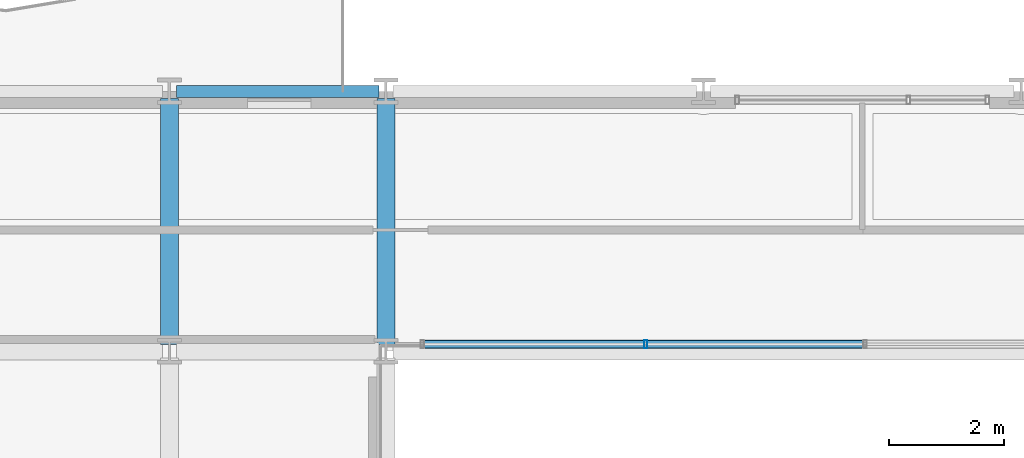
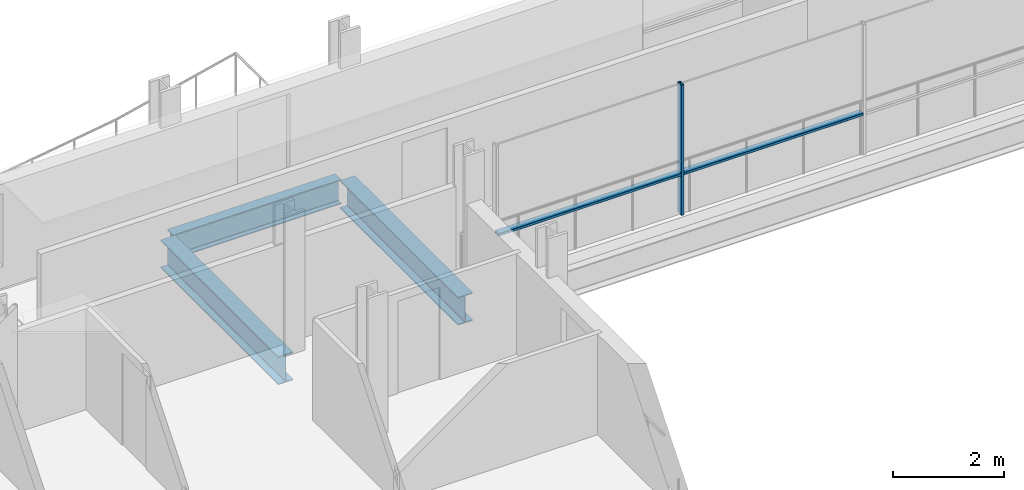
# One storey, part 9 of 38: 3 beams, 3 members, 1 element without a shape of its own.
"""IFC4 building model written with IfcOpenShell, lengths in metres."""

from ifc_helpers import new_model, si_unit, direction, frame, origin, origin_2d, place, context, subcontext, project, spatial, hollow_rectangle, i_section, extrude, material, layer, layer_set, material_profile, profile_set, type_object, element, aggregate, save


model = new_model("IFC4")

# Units and contexts
model_context = context("Model", 3, precision=1e-05, world=origin(), true_north=direction((0.0, 1.0)))
body_context = subcontext(model_context, "Body", "Model", "MODEL_VIEW")
ifc_project = project(units=[si_unit("LENGTHUNIT", "METRE"), si_unit("AREAUNIT", "SQUARE_METRE"), si_unit("VOLUMEUNIT", "CUBIC_METRE"), si_unit("PLANEANGLEUNIT", "RADIAN"), si_unit("MASSUNIT", "GRAM", prefix="KILO")], contexts=[model_context])

# Site, building, storey
site_placement = place(None, origin())
site = spatial("IfcSite", under=ifc_project, at=site_placement, CompositionType="ELEMENT")
building_placement = place(site_placement, origin())
building = spatial("IfcBuilding", under=site, at=building_placement, Name="Brevholm Reach", CompositionType="ELEMENT")
storey_placement = place(building_placement, frame((0.0, 0.0, 71.39990234375)))
storey = spatial("IfcBuildingStorey", under=building, at=storey_placement, Name="L20", CompositionType="ELEMENT", Elevation=71.39990234375)

# Beams
ifc_material_1 = material(Name="Structural Steel S355J2", Category="steel")
ifc_material_profile_1 = material_profile(ifc_material_1, i_section(OverallWidth=0.210693359375, OverallDepth=0.53955078125, WebThickness=0.01171875, FlangeThickness=0.018798828125, FilletRadius=0.0126953125, at=origin_2d()), Name="UKB 533x210x109")
ifc_profile_set_1 = profile_set([ifc_material_profile_1], Name="Structural Steel S355J2")
beam_type_1 = type_object("IfcBeamType", Name="BM-SP539", PredefinedType="SPANDREL", material=ifc_profile_set_1)
beam_placement = place(storey_placement, frame((18.1201171875, 31.0, -0.499755859375), z_axis=(1.0, 0.0, 0.0), x_axis=(0.0, 1.0, 0.0)))
element("IfcBeam", 1, at=beam_placement, inside=storey, type_object=beam_type_1, Name="L20 SP-01B Framing Beam", PredefinedType="SPANDREL", context=body_context, shape_type="SweptSolid", body=[
    extrude(i_section(OverallWidth=0.210693359375, OverallDepth=0.53955078125, WebThickness=0.01171875, FlangeThickness=0.018798828125, FilletRadius=0.0126953125, at=origin_2d()), origin(), (0.0, 0.0, 1.0), 3.509765625),
])
ifc_material_2 = material(Name="Structural Steel S355J2", Category="steel")
ifc_material_profile_2 = material_profile(ifc_material_2, i_section(OverallWidth=0.30712890625, OverallDepth=0.6201171875, WebThickness=0.01416015625, FlangeThickness=0.023681640625, FilletRadius=0.0166015625, at=origin_2d()), Name="UKB 610x305x179")
ifc_profile_set_2 = profile_set([ifc_material_profile_2], Name="Structural Steel S355J2")
beam_type_2 = type_object("IfcBeamType", Name="BM-UKB610H", PredefinedType="USERDEFINED", material=ifc_profile_set_2)
for number, where, z_axis, x_axis, name in (
    (2, (18.0, 26.6201171875, -0.5400390625), (0.0, 1.0, 0.0), (-1.0, 0.0, 0.0), "L20 G-06 Framing Beam"),
    (3, (21.75, 26.6201171875, -0.5400390625), (0.0, 1.0, 0.0), (-1.0, 0.0, 0.0), "L20 G-06 Framing Beam"),
):
    element("IfcBeam", number, at=place(storey_placement, frame(where, z_axis=z_axis, x_axis=x_axis)), inside=storey, type_object=beam_type_2, Name=name, ObjectType="GIRDER", PredefinedType="USERDEFINED", context=body_context, shape_type="SweptSolid", body=[
        extrude(i_section(OverallWidth=0.30712890625, OverallDepth=0.6201171875, WebThickness=0.01416015625, FlangeThickness=0.023681640625, FilletRadius=0.0166015625, at=origin_2d()), origin(), (0.0, 0.0, 1.0), 4.259765625),
    ])

# Curtain wall, members
ifc_material_3 = material(Name="Dark Anodised Aluminium 6063-T6 and Solar-Control Glass", Category="aluminium")
ifc_layer = layer(ifc_material_3, 0.139892578125)
ifc_layer_set = layer_set([ifc_layer], Name="Dark Anodised Aluminium 6063-T6 and Solar-Control Glass")
curtain_wall_type = type_object("IfcCurtainWallType", Name="CW-02", PredefinedType="NOTDEFINED", material=ifc_layer_set)
curtain_wall_placement = place(storey_placement, origin())
curtain_wall = element("IfcCurtainWall", 4, at=curtain_wall_placement, inside=storey, type_object=curtain_wall_type, Name="L20 Curtain Wall CW-02", PredefinedType="NOTDEFINED")
ifc_material_4 = material(Name="Dark Anodised Aluminium 6063-T6", Category="aluminium")
ifc_material_profile_3 = material_profile(ifc_material_4, hollow_rectangle(XDim=0.06005859375, YDim=0.139892578125, WallThickness=0.0048828125, InnerFilletRadius=0.0048828125, OuterFilletRadius=0.010009765625, at=origin_2d()), Name="RHS 140x60x5")
ifc_profile_set_3 = profile_set([ifc_material_profile_3], Name="Dark Anodised Aluminium 6063-T6")
member_type_1 = type_object("IfcMemberType", Name="CWM-140", PredefinedType="MULLION", material=ifc_profile_set_3)
member_1_placement = place(storey_placement, frame((26.25, 26.6201171875, 0.0), z_axis=(0.0, 0.0, 1.0), x_axis=(-1.0, 0.0, 0.0)))
member_1 = element("IfcMember", 5, at=member_1_placement, type_object=member_type_1, Name="CM-140 Mullion 4", PredefinedType="MULLION", context=body_context, shape_type="SweptSolid", body=[
    extrude(hollow_rectangle(XDim=0.06005859375, YDim=0.139892578125, WallThickness=0.0048828125, InnerFilletRadius=0.0048828125, OuterFilletRadius=0.010009765625, at=origin_2d()), origin(), (0.0, 0.0, 1.0), 2.8701171875),
])
ifc_material_5 = material(Name="Dark Anodised Aluminium 6063-T6", Category="aluminium")
ifc_material_profile_4 = material_profile(ifc_material_5, hollow_rectangle(XDim=0.06005859375, YDim=0.139892578125, WallThickness=0.0048828125, InnerFilletRadius=0.0048828125, OuterFilletRadius=0.010009765625, at=origin_2d()), Name="RHS 140x60x5")
ifc_profile_set_4 = profile_set([ifc_material_profile_4], Name="Dark Anodised Aluminium 6063-T6")
member_type_2 = type_object("IfcMemberType", Name="CWT-140", PredefinedType="NOTDEFINED", material=ifc_profile_set_4)
member_2_placement = place(storey_placement, frame((30.02001953125, 26.6201171875, 0.900146484375), z_axis=(-1.0, 0.0, 0.0), x_axis=(0.0, 0.0, 1.0)))
member_2 = element("IfcMember", 6, at=member_2_placement, type_object=member_type_2, Name="CT-140 Transom 3.1", ObjectType="TRANSOM", PredefinedType="USERDEFINED", context=body_context, shape_type="SweptSolid", body=[
    extrude(hollow_rectangle(XDim=0.06005859375, YDim=0.139892578125, WallThickness=0.0048828125, InnerFilletRadius=0.0048828125, OuterFilletRadius=0.010009765625, at=origin_2d()), origin(), (0.0, 0.0, 1.0), 3.739990234375),
])
member_3_placement = place(storey_placement, frame((26.219970703125, 26.6201171875, 0.900146484375), z_axis=(-1.0, 0.0, 0.0), x_axis=(0.0, 0.0, 1.0)))
member_3 = element("IfcMember", 7, at=member_3_placement, type_object=member_type_2, Name="CT-140 Transom 4.1", ObjectType="TRANSOM", PredefinedType="USERDEFINED", context=body_context, shape_type="SweptSolid", body=[
    extrude(hollow_rectangle(XDim=0.06005859375, YDim=0.139892578125, WallThickness=0.0048828125, InnerFilletRadius=0.0048828125, OuterFilletRadius=0.010009765625, at=origin_2d()), origin(), (0.0, 0.0, 1.0), 3.81005859375),
])
aggregate(curtain_wall, [member_1, member_2, member_3])

save(model, "model.ifc")
